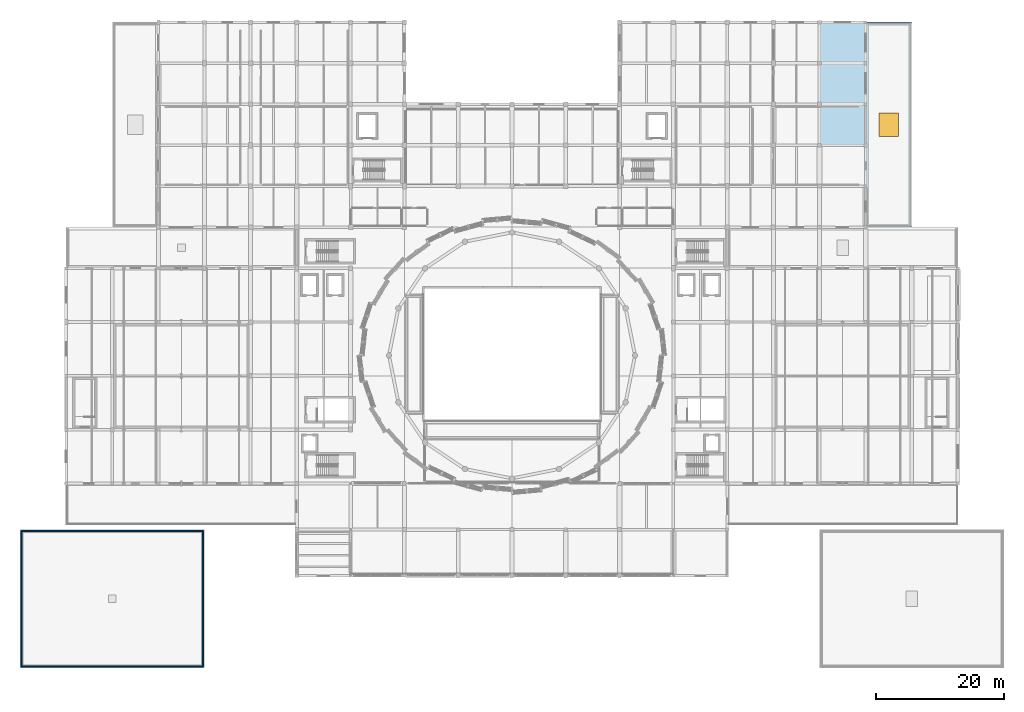
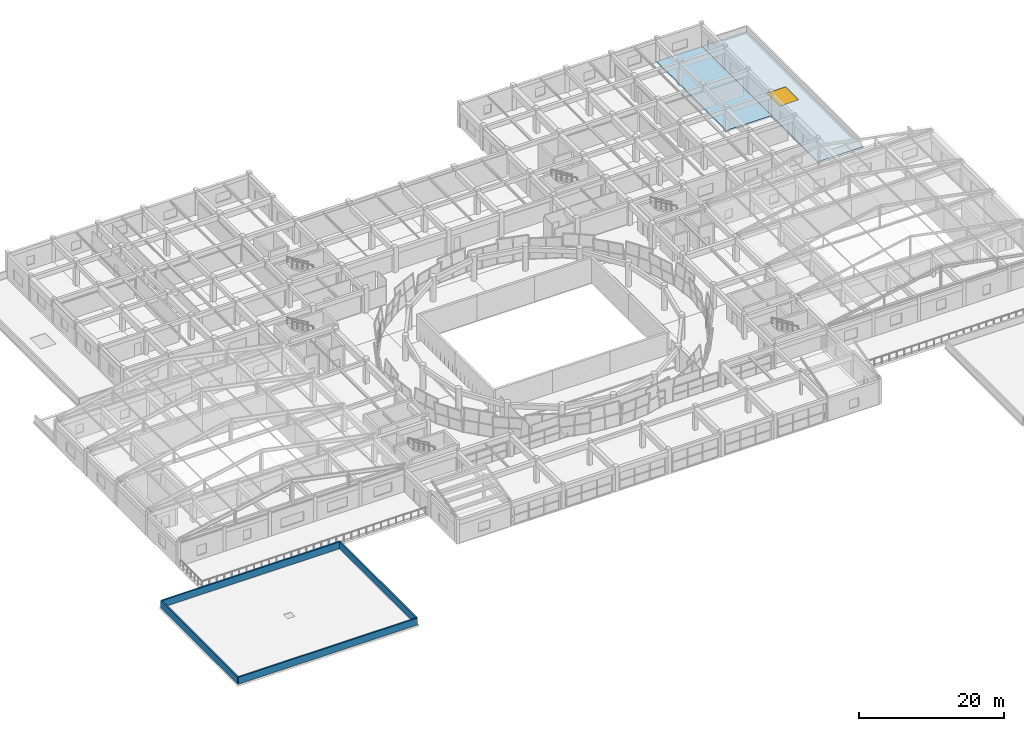
# One storey, part 53 of 74: 4 walls, 2 slabs, 1 window, 1 opening.
"""IFC4 building model written with IfcOpenShell, lengths in metres."""

from ifc_helpers import new_model, si_unit, direction, frame, frame_2d, origin, origin_2d, place, context, subcontext, project, spatial, polyline, rectangle, outline, extrude, material, layer, layer_set, type_object, element, fill, save


model = new_model("IFC4")

# Units and contexts
model_context = context("Model", 3, precision=1e-05, world=origin(), true_north=direction((0.0, 1.0)))
body_context = subcontext(model_context, "Body", "Model", "MODEL_VIEW")
ifc_project = project(units=[si_unit("LENGTHUNIT", "METRE"), si_unit("AREAUNIT", "SQUARE_METRE"), si_unit("VOLUMEUNIT", "CUBIC_METRE"), si_unit("PLANEANGLEUNIT", "RADIAN"), si_unit("MASSUNIT", "GRAM", prefix="KILO")], contexts=[model_context])

# Site, building, storey
site_placement = place(None, origin())
site = spatial("IfcSite", under=ifc_project, at=site_placement, CompositionType="ELEMENT")
building_placement = place(site_placement, origin())
building = spatial("IfcBuilding", under=site, at=building_placement, Name="Korsvaeld Concert Hall", CompositionType="ELEMENT")
storey_placement = place(building_placement, frame((0.0, 0.0, 9.0)))
storey = spatial("IfcBuildingStorey", under=building, at=storey_placement, Name="L02", CompositionType="ELEMENT", Elevation=9.0)

# Slab, opening, window
ifc_material_1 = material(Name="Concrete C35/45", Category="concrete")
ifc_layer_1 = layer(ifc_material_1, 0.300048828125)
ifc_layer_set_1 = layer_set([ifc_layer_1], Name="Concrete C35/45")
slab_type_1 = type_object("IfcSlabType", Name="SLB-FLATROOF-300", PredefinedType="ROOF", material=ifc_layer_set_1)
slab_1_placement = place(storey_placement, frame((0.0, 0.0, -0.300048828125)))
slab_1 = element("IfcSlab", 1, at=slab_1_placement, inside=storey, type_object=slab_type_1, Name="Flat acoustic roof ROOF_L02_NE", PredefinedType="ROOF", context=body_context, shape_type="SweptSolid", body=[
    extrude(outline(polyline([(139.199951171875, 83.199951171875), (139.199951171875, 115.199951171875), (146.39990234375, 115.199951171875), (146.39990234375, 83.199951171875), (139.199951171875, 83.199951171875)])), origin(), (0.0, 0.0, 1.0), 0.300048828125),
])
opening_placement = place(slab_1_placement, frame((142.800048828125, 99.199951171875, -0.010009765625)))
opening = element("IfcOpeningElement", 2, at=opening_placement, cuts=slab_1, Name="Opening SK-04", PredefinedType="OPENING", context=body_context, shape_type="SweptSolid", body=[
    extrude(rectangle(XDim=3.0, YDim=3.60009765625, at=origin_2d()), origin(), (0.0, 0.0, 1.0), 0.320068359375),
])
ifc_material_2 = material(Name="Anodised bronze frame with acoustic triple glazing", Category="glass")
window_type = type_object("IfcWindowType", Name="SKY-LIGHT-300x360", PartitioningType="TRIPLE_PANEL_VERTICAL", PredefinedType="SKYLIGHT", material=ifc_material_2)
window_placement = place(slab_1_placement, frame((142.800048828125, 99.199951171875, 0.25)))
window = element("IfcWindow", 3, at=window_placement, inside=storey, type_object=window_type, Name="Acoustic skylight / roof hatch SLB-ROOF_L02_NE", OverallHeight=3.60009765625, OverallWidth=3.0, PartitioningType="SINGLE_PANEL", PredefinedType="SKYLIGHT", context=body_context, shape_type="SweptSolid", body=[
    extrude(rectangle(XDim=3.0, YDim=3.60009765625, at=origin_2d()), origin(), (0.0, 0.0, 1.0), 0.050048828125),
])
fill(opening, window)

# Slab
ifc_layer_2 = layer(ifc_material_1, 0.25)
ifc_layer_set_2 = layer_set([ifc_layer_2], Name="Concrete C35/45")
slab_type_2 = type_object("IfcSlabType", Name="SLB-WING-250", PredefinedType="FLOOR", material=ifc_layer_set_2)
slab_2_placement = place(storey_placement, frame((0.0, 0.0, -0.25)))
element("IfcSlab", 4, at=slab_2_placement, inside=storey, type_object=slab_type_2, Name="Structural slab L02 V5_L02_E 3.2", PredefinedType="FLOOR", context=body_context, shape_type="SweptSolid", body=[
    extrude(outline(polyline([(132.0, 96.0), (132.0, 115.199951171875), (139.199951171875, 115.199951171875), (139.199951171875, 96.0), (132.0, 96.0)])), origin(), (0.0, 0.0, 1.0), 0.25),
])

# Walls
ifc_material_3 = material(Name="Bornholm Nexo sandstone parapet on Concrete C35/45", Category="masonry")
ifc_layer_3 = layer(ifc_material_3, 0.239990234375)
ifc_layer_set_3 = layer_set([ifc_layer_3], Name="Bornholm Nexo sandstone parapet on Concrete C35/45")
wall_type = type_object("IfcWallType", Name="WL-PARAPET-240", PredefinedType="PARAPET", material=ifc_layer_set_3)
wall_1_placement = place(storey_placement, frame((7.39990234375, 14.60009765625, 0.0), z_axis=(0.0, 0.0, 1.0), x_axis=(1.0, 0.0, 0.0)))
element("IfcWall", 5, at=wall_1_placement, inside=storey, type_object=wall_type, Name="Roof parapet SLB-ROOF_L02_SW-1", PredefinedType="PARAPET", context=body_context, shape_type="SweptSolid", body=[
    extrude(rectangle(XDim=28.400146484375, YDim=0.239990234375, at=frame_2d((14.2001953125, 0.0))), origin(), (0.0, 0.0, 1.0), 1.14990234375),
])
wall_2_placement = place(storey_placement, frame((35.800048828125, 14.60009765625, 0.0), z_axis=(0.0, 0.0, 1.0), x_axis=(0.0, 1.0, 0.0)))
element("IfcWall", 6, at=wall_2_placement, inside=storey, type_object=wall_type, Name="Roof parapet SLB-ROOF_L02_SW-2", PredefinedType="PARAPET", context=body_context, shape_type="SweptSolid", body=[
    extrude(rectangle(XDim=21.199951171875, YDim=0.239990234375, at=frame_2d((10.60009765625, 0.0))), origin(), (0.0, 0.0, 1.0), 1.14990234375),
])
wall_3_placement = place(storey_placement, frame((35.800048828125, 35.800048828125, 0.0), z_axis=(0.0, 0.0, 1.0), x_axis=(-1.0, 0.0, 0.0)))
element("IfcWall", 7, at=wall_3_placement, inside=storey, type_object=wall_type, Name="Roof parapet SLB-ROOF_L02_SW-3", PredefinedType="PARAPET", context=body_context, shape_type="SweptSolid", body=[
    extrude(rectangle(XDim=28.400146484375, YDim=0.239990234375, at=frame_2d((14.2001953125, 0.0))), origin(), (0.0, 0.0, 1.0), 1.14990234375),
])
wall_4_placement = place(storey_placement, frame((7.39990234375, 35.800048828125, 0.0), z_axis=(0.0, 0.0, 1.0), x_axis=(0.0, -1.0, 0.0)))
element("IfcWall", 8, at=wall_4_placement, inside=storey, type_object=wall_type, Name="Roof parapet SLB-ROOF_L02_SW-4", PredefinedType="PARAPET", context=body_context, shape_type="SweptSolid", body=[
    extrude(rectangle(XDim=21.199951171875, YDim=0.239990234375, at=frame_2d((10.60009765625, 0.0))), origin(), (0.0, 0.0, 1.0), 1.14990234375),
])

save(model, "model.ifc")
